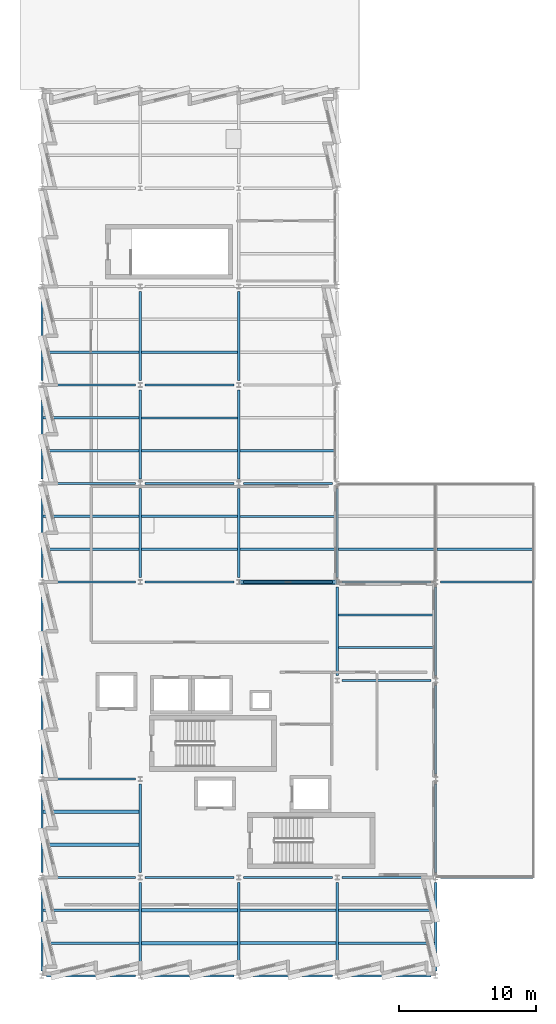
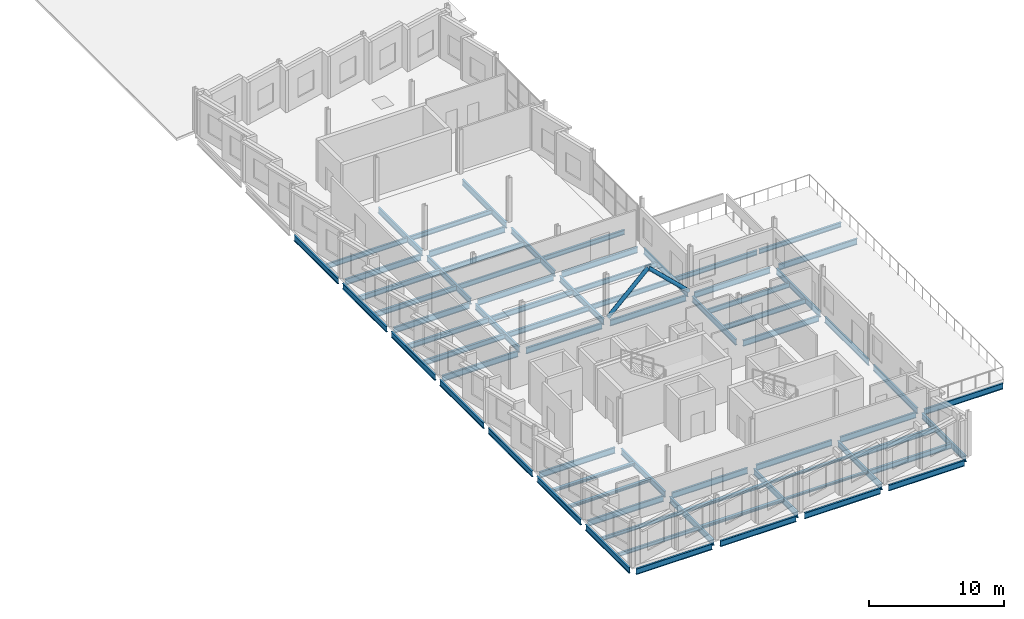
# One storey, part 5 of 18: 71 beams, 2 members.
"""IFC4 building model written with IfcOpenShell, lengths in metres."""

from ifc_helpers import new_model, si_unit, direction, frame, origin, origin_2d, place, context, subcontext, project, spatial, hollow_circle, i_section, extrude, material, material_profile, profile_set, type_object, element, save


model = new_model("IFC4")

# Units and contexts
model_context = context("Model", 3, precision=1e-05, world=origin(), true_north=direction((0.0, 1.0)))
body_context = subcontext(model_context, "Body", "Model", "MODEL_VIEW")
ifc_project = project(units=[si_unit("LENGTHUNIT", "METRE"), si_unit("AREAUNIT", "SQUARE_METRE"), si_unit("VOLUMEUNIT", "CUBIC_METRE"), si_unit("PLANEANGLEUNIT", "RADIAN"), si_unit("MASSUNIT", "GRAM", prefix="KILO")], contexts=[model_context])

# Site, building, storey
site_placement = place(None, origin())
site = spatial("IfcSite", under=ifc_project, at=site_placement, CompositionType="ELEMENT")
building_placement = place(site_placement, origin())
building = spatial("IfcBuilding", under=site, at=building_placement, Name="Kalmorath City Hall", CompositionType="ELEMENT")
storey_placement = place(building_placement, frame((0.0, 0.0, 27.0)))
storey = spatial("IfcBuildingStorey", under=building, at=storey_placement, Name="L06", CompositionType="ELEMENT", Elevation=27.0)

# Beams
ifc_material_1 = material(Name="Steel ASTM A992 Grade 50", Category="steel")
ifc_material_profile_1 = material_profile(ifc_material_1, i_section(OverallWidth=0.178955078125, OverallDepth=0.409912109375, WebThickness=0.0087890625, FlangeThickness=0.014404296875, FilletRadius=0.012939453125, at=origin_2d()), Name="W16X45")
ifc_profile_set_1 = profile_set([ifc_material_profile_1], Name="Steel ASTM A992 Grade 50")
beam_type_1 = type_object("IfcBeamType", Name="Steel composite joist W16X45", PredefinedType="JOIST", material=ifc_profile_set_1)
beam_1_placement = place(storey_placement, frame((28.883544921875, 31.199951171875, -0.4990234375), z_axis=(1.0, 0.0, 0.0), x_axis=(0.0, 1.0, 0.0)))
element("IfcBeam", 1, at=beam_1_placement, inside=storey, type_object=beam_type_1, Name="L06 joist SJ6 5.5.1", PredefinedType="JOIST", context=body_context, shape_type="SweptSolid", body=[
    extrude(i_section(OverallWidth=0.178955078125, OverallDepth=0.409912109375, WebThickness=0.0087890625, FlangeThickness=0.014404296875, FilletRadius=0.012939453125, at=origin_2d()), origin(), (0.0, 0.0, 1.0), 7.033935546875),
])
ifc_material_2 = material(Name="Steel ASTM A992 Grade 50", Category="steel")
ifc_material_profile_2 = material_profile(ifc_material_2, i_section(OverallWidth=0.180908203125, OverallDepth=0.4169921875, WebThickness=0.010986328125, FlangeThickness=0.018310546875, FilletRadius=0.012939453125, at=origin_2d()), Name="W16X57")
ifc_profile_set_2 = profile_set([ifc_material_profile_2], Name="Steel ASTM A992 Grade 50")
beam_type_2 = type_object("IfcBeamType", Name="Steel composite joist W16X57", PredefinedType="JOIST", material=ifc_profile_set_2)
beam_2_placement = place(storey_placement, frame((7.283447265625, 45.60009765625, -0.50244140625), z_axis=(1.0, 0.0, 0.0), x_axis=(0.0, 1.0, 0.0)))
element("IfcBeam", 2, at=beam_2_placement, inside=storey, type_object=beam_type_2, Name="L06 joist SJ5 2.7.1", PredefinedType="JOIST", context=body_context, shape_type="SweptSolid", body=[
    extrude(i_section(OverallWidth=0.180908203125, OverallDepth=0.4169921875, WebThickness=0.010986328125, FlangeThickness=0.018310546875, FilletRadius=0.012939453125, at=origin_2d()), origin(), (0.0, 0.0, 1.0), 7.032958984375),
])
beam_3_placement = place(storey_placement, frame((14.4833984375, 38.39990234375, -0.50244140625), z_axis=(1.0, 0.0, 0.0), x_axis=(0.0, 1.0, 0.0)))
element("IfcBeam", 3, at=beam_3_placement, inside=storey, type_object=beam_type_2, Name="L06 joist SJ5 3.6.1", PredefinedType="JOIST", context=body_context, shape_type="SweptSolid", body=[
    extrude(i_section(OverallWidth=0.180908203125, OverallDepth=0.4169921875, WebThickness=0.010986328125, FlangeThickness=0.018310546875, FilletRadius=0.012939453125, at=origin_2d()), origin(), (0.0, 0.0, 1.0), 7.0341796875),
])
beam_4_placement = place(storey_placement, frame((21.68359375, 31.199951171875, -0.50244140625), z_axis=(1.0, 0.0, 0.0), x_axis=(0.0, 1.0, 0.0)))
element("IfcBeam", 4, at=beam_4_placement, inside=storey, type_object=beam_type_2, Name="L06 joist SJ5 4.5.1", PredefinedType="JOIST", context=body_context, shape_type="SweptSolid", body=[
    extrude(i_section(OverallWidth=0.180908203125, OverallDepth=0.4169921875, WebThickness=0.010986328125, FlangeThickness=0.018310546875, FilletRadius=0.012939453125, at=origin_2d()), origin(), (0.0, 0.0, 1.0), 7.032958984375),
])
ifc_material_3 = material(Name="Steel ASTM A992 Grade 50", Category="steel")
ifc_material_profile_3 = material_profile(ifc_material_3, i_section(OverallWidth=0.153076171875, OverallDepth=0.455078125, WebThickness=0.008056640625, FlangeThickness=0.01318359375, FilletRadius=0.013916015625, at=origin_2d()), Name="W18X40")
ifc_profile_set_3 = profile_set([ifc_material_profile_3], Name="Steel ASTM A992 Grade 50")
beam_type_3 = type_object("IfcBeamType", Name="Steel composite joist W18X40", PredefinedType="JOIST", material=ifc_profile_set_3)
beam_5_placement = place(storey_placement, frame((0.08251953125, 45.60009765625, -0.521484375), z_axis=(1.0, 0.0, 0.0), x_axis=(0.0, 1.0, 0.0)))
element("IfcBeam", 5, at=beam_5_placement, inside=storey, type_object=beam_type_3, Name="L06 joist SJ4 1.7.1", PredefinedType="JOIST", context=body_context, shape_type="SweptSolid", body=[
    extrude(i_section(OverallWidth=0.153076171875, OverallDepth=0.455078125, WebThickness=0.008056640625, FlangeThickness=0.01318359375, FilletRadius=0.013916015625, at=origin_2d()), origin(), (0.0, 0.0, 1.0), 7.033935546875),
])
for number, where, z_axis, x_axis, name in (
    (6, (7.283447265625, 38.39990234375, -0.521484375), (1.0, 0.0, 0.0), (0.0, 1.0, 0.0), "L06 joist SJ4 2.6.1"),
    (7, (7.283447265625, 40.800048828125, -0.521484375), (1.0, 0.0, 0.0), (0.0, 1.0, 0.0), "L06 joist SJ4 2.6.2"),
):
    element("IfcBeam", number, at=place(storey_placement, frame(where, z_axis=z_axis, x_axis=x_axis)), inside=storey, type_object=beam_type_3, Name=name, PredefinedType="JOIST", context=body_context, shape_type="SweptSolid", body=[
        extrude(i_section(OverallWidth=0.153076171875, OverallDepth=0.455078125, WebThickness=0.008056640625, FlangeThickness=0.01318359375, FilletRadius=0.013916015625, at=origin_2d()), origin(), (0.0, 0.0, 1.0), 7.032958984375),
    ])
for number, where, z_axis, x_axis, name in (
    (8, (14.4833984375, 31.199951171875, -0.521484375), (1.0, 0.0, 0.0), (0.0, 1.0, 0.0), "L06 joist SJ4 3.5.1"),
    (9, (14.4833984375, 33.60009765625, -0.521484375), (1.0, 0.0, 0.0), (0.0, 1.0, 0.0), "L06 joist SJ4 3.5.2"),
):
    element("IfcBeam", number, at=place(storey_placement, frame(where, z_axis=z_axis, x_axis=x_axis)), inside=storey, type_object=beam_type_3, Name=name, PredefinedType="JOIST", context=body_context, shape_type="SweptSolid", body=[
        extrude(i_section(OverallWidth=0.153076171875, OverallDepth=0.455078125, WebThickness=0.008056640625, FlangeThickness=0.01318359375, FilletRadius=0.013916015625, at=origin_2d()), origin(), (0.0, 0.0, 1.0), 7.033203125),
    ])
for number, where, z_axis, x_axis, name in (
    (10, (21.68359375, 24.0, -0.521484375), (1.0, 0.0, 0.0), (0.0, 1.0, 0.0), "L06 joist SJ4 4.4.1"),
    (11, (21.68359375, 26.39990234375, -0.521484375), (1.0, 0.0, 0.0), (0.0, 1.0, 0.0), "L06 joist SJ4 4.4.2"),
):
    element("IfcBeam", number, at=place(storey_placement, frame(where, z_axis=z_axis, x_axis=x_axis)), inside=storey, type_object=beam_type_3, Name=name, PredefinedType="JOIST", context=body_context, shape_type="SweptSolid", body=[
        extrude(i_section(OverallWidth=0.153076171875, OverallDepth=0.455078125, WebThickness=0.008056640625, FlangeThickness=0.01318359375, FilletRadius=0.013916015625, at=origin_2d()), origin(), (0.0, 0.0, 1.0), 7.032958984375),
    ])
ifc_material_4 = material(Name="Steel ASTM A992 Grade 50", Category="steel")
ifc_material_profile_4 = material_profile(ifc_material_4, i_section(OverallWidth=0.19091796875, OverallDepth=0.45703125, WebThickness=0.009033203125, FlangeThickness=0.014404296875, FilletRadius=0.013916015625, at=origin_2d()), Name="W18X50")
ifc_profile_set_4 = profile_set([ifc_material_profile_4], Name="Steel ASTM A992 Grade 50")
beam_type_4 = type_object("IfcBeamType", Name="Steel composite joist W18X50", PredefinedType="JOIST", material=ifc_profile_set_4)
for number, where, z_axis, x_axis, name in (
    (12, (0.08251953125, 38.39990234375, -0.5224609375), (1.0, 0.0, 0.0), (0.0, 1.0, 0.0), "L06 joist SJ3 1.6.1"),
    (13, (0.08251953125, 40.800048828125, -0.5224609375), (1.0, 0.0, 0.0), (0.0, 1.0, 0.0), "L06 joist SJ3 1.6.2"),
):
    element("IfcBeam", number, at=place(storey_placement, frame(where, z_axis=z_axis, x_axis=x_axis)), inside=storey, type_object=beam_type_4, Name=name, PredefinedType="JOIST", context=body_context, shape_type="SweptSolid", body=[
        extrude(i_section(OverallWidth=0.19091796875, OverallDepth=0.45703125, WebThickness=0.009033203125, FlangeThickness=0.014404296875, FilletRadius=0.013916015625, at=origin_2d()), origin(), (0.0, 0.0, 1.0), 7.033935546875),
    ])
for number, where, z_axis, x_axis, name in (
    (14, (7.283447265625, 31.199951171875, -0.5224609375), (1.0, 0.0, 0.0), (0.0, 1.0, 0.0), "L06 joist SJ3 2.5.1"),
    (15, (7.283447265625, 33.60009765625, -0.5224609375), (1.0, 0.0, 0.0), (0.0, 1.0, 0.0), "L06 joist SJ3 2.5.2"),
):
    element("IfcBeam", number, at=place(storey_placement, frame(where, z_axis=z_axis, x_axis=x_axis)), inside=storey, type_object=beam_type_4, Name=name, PredefinedType="JOIST", context=body_context, shape_type="SweptSolid", body=[
        extrude(i_section(OverallWidth=0.19091796875, OverallDepth=0.45703125, WebThickness=0.009033203125, FlangeThickness=0.014404296875, FilletRadius=0.013916015625, at=origin_2d()), origin(), (0.0, 0.0, 1.0), 7.032958984375),
    ])
ifc_material_5 = material(Name="Steel ASTM A992 Grade 50", Category="steel")
ifc_material_profile_5 = material_profile(ifc_material_5, i_section(OverallWidth=0.19091796875, OverallDepth=0.4599609375, WebThickness=0.010009765625, FlangeThickness=0.01611328125, FilletRadius=0.013916015625, at=origin_2d()), Name="W18X55")
ifc_profile_set_5 = profile_set([ifc_material_profile_5], Name="Steel ASTM A992 Grade 50")
beam_type_5 = type_object("IfcBeamType", Name="Steel composite joist W18X55", PredefinedType="JOIST", material=ifc_profile_set_5)
for number, where, z_axis, x_axis, name in (
    (16, (0.08251953125, 31.199951171875, -0.52392578125), (1.0, 0.0, 0.0), (0.0, 1.0, 0.0), "L06 joist SJ2 1.5.1"),
    (17, (0.08251953125, 33.60009765625, -0.52392578125), (1.0, 0.0, 0.0), (0.0, 1.0, 0.0), "L06 joist SJ2 1.5.2"),
):
    element("IfcBeam", number, at=place(storey_placement, frame(where, z_axis=z_axis, x_axis=x_axis)), inside=storey, type_object=beam_type_5, Name=name, PredefinedType="JOIST", context=body_context, shape_type="SweptSolid", body=[
        extrude(i_section(OverallWidth=0.19091796875, OverallDepth=0.4599609375, WebThickness=0.010009765625, FlangeThickness=0.01611328125, FilletRadius=0.013916015625, at=origin_2d()), origin(), (0.0, 0.0, 1.0), 7.033935546875),
    ])
ifc_material_6 = material(Name="Steel ASTM A992 Grade 50", Category="steel")
ifc_material_profile_6 = material_profile(ifc_material_6, i_section(OverallWidth=0.193115234375, OverallDepth=0.466064453125, WebThickness=0.011474609375, FlangeThickness=0.01904296875, FilletRadius=0.013916015625, at=origin_2d()), Name="W18X65")
ifc_profile_set_6 = profile_set([ifc_material_profile_6], Name="Steel ASTM A992 Grade 50")
beam_type_6 = type_object("IfcBeamType", Name="Steel composite joist W18X65", PredefinedType="JOIST", material=ifc_profile_set_6)
for number, where, z_axis, x_axis, name in (
    (18, (21.68359375, 2.39990234375, -0.527099609375), (1.0, 0.0, 0.0), (0.0, 1.0, 0.0), "L06 joist SJ1 4.1.1"),
    (19, (21.68359375, 4.800048828125, -0.527099609375), (1.0, 0.0, 0.0), (0.0, 1.0, 0.0), "L06 joist SJ1 4.1.2"),
):
    element("IfcBeam", number, at=place(storey_placement, frame(where, z_axis=z_axis, x_axis=x_axis)), inside=storey, type_object=beam_type_6, Name=name, PredefinedType="JOIST", context=body_context, shape_type="SweptSolid", body=[
        extrude(i_section(OverallWidth=0.193115234375, OverallDepth=0.466064453125, WebThickness=0.011474609375, FlangeThickness=0.01904296875, FilletRadius=0.013916015625, at=origin_2d()), origin(), (0.0, 0.0, 1.0), 7.033935546875),
    ])
ifc_material_7 = material(Name="Steel ASTM A992 Grade 50", Category="steel")
ifc_material_profile_7 = material_profile(ifc_material_7, i_section(OverallWidth=0.202880859375, OverallDepth=0.202880859375, WebThickness=0.007080078125, FlangeThickness=0.010986328125, FilletRadius=0.010986328125, at=origin_2d()), Name="W8X31")
ifc_profile_set_7 = profile_set([ifc_material_profile_7], Name="Steel ASTM A992 Grade 50")
beam_type_7 = type_object("IfcBeamType", Name="Steel edge trimmer W8X31", PredefinedType="LINTEL", material=ifc_profile_set_7)
for number, where, z_axis, x_axis, name in (
    (20, (14.4833984375, 2.39990234375, -0.3955078125), (1.0, 0.0, 0.0), (0.0, 1.0, 0.0), "L06 joist SJ16 3.1.1"),
    (21, (14.4833984375, 4.800048828125, -0.3955078125), (1.0, 0.0, 0.0), (0.0, 1.0, 0.0), "L06 joist SJ16 3.1.2"),
):
    element("IfcBeam", number, at=place(storey_placement, frame(where, z_axis=z_axis, x_axis=x_axis)), inside=storey, type_object=beam_type_7, Name=name, PredefinedType="LINTEL", context=body_context, shape_type="SweptSolid", body=[
        extrude(i_section(OverallWidth=0.202880859375, OverallDepth=0.202880859375, WebThickness=0.007080078125, FlangeThickness=0.010986328125, FilletRadius=0.010986328125, at=origin_2d()), origin(), (0.0, 0.0, 1.0), 7.033203125),
    ])
ifc_material_8 = material(Name="Steel ASTM A992 Grade 50", Category="steel")
ifc_material_profile_8 = material_profile(ifc_material_8, i_section(OverallWidth=0.1669921875, OverallDepth=0.534912109375, WebThickness=0.01025390625, FlangeThickness=0.0166015625, FilletRadius=0.014892578125, at=origin_2d()), Name="W21X57")
ifc_profile_set_8 = profile_set([ifc_material_profile_8], Name="Steel ASTM A992 Grade 50")
beam_type_8 = type_object("IfcBeamType", Name="Steel floor beam W21X57", PredefinedType="BEAM", material=ifc_profile_set_8)
for number, where, z_axis, x_axis, name in (
    (22, (0.35009765625, 7.199951171875, -0.5615234375), (1.0, 0.0, 0.0), (0.0, 1.0, 0.0), "L06 girder SB3 X1-2/2"),
    (23, (7.550048828125, 7.199951171875, -0.5615234375), (1.0, 0.0, 0.0), (0.0, 1.0, 0.0), "L06 girder SB3 X2-3/2"),
    (24, (14.75, 7.199951171875, -0.5615234375), (1.0, 0.0, 0.0), (0.0, 1.0, 0.0), "L06 girder SB3 X3-4/2"),
    (25, (21.949951171875, 7.199951171875, -0.5615234375), (1.0, 0.0, 0.0), (0.0, 1.0, 0.0), "L06 girder SB3 X4-5/2"),
    (26, (0.35009765625, 14.39990234375, -0.5615234375), (1.0, 0.0, 0.0), (0.0, 1.0, 0.0), "L06 girder SB3 X1-2/3"),
    (27, (21.949951171875, 21.60009765625, -0.5615234375), (1.0, 0.0, 0.0), (0.0, 1.0, 0.0), "L06 girder SB3 X4-5/4"),
    (28, (0.35009765625, 28.800048828125, -0.5615234375), (1.0, 0.0, 0.0), (0.0, 1.0, 0.0), "L06 girder SB3 X1-2/5"),
    (29, (7.550048828125, 28.800048828125, -0.5615234375), (1.0, 0.0, 0.0), (0.0, 1.0, 0.0), "L06 girder SB3 X2-3/5"),
    (30, (14.75, 28.800048828125, -0.5615234375), (1.0, 0.0, 0.0), (0.0, 1.0, 0.0), "L06 girder SB3 X3-4/5"),
    (31, (21.949951171875, 28.800048828125, -0.5615234375), (1.0, 0.0, 0.0), (0.0, 1.0, 0.0), "L06 girder SB3 X4-5/5"),
):
    element("IfcBeam", number, at=place(storey_placement, frame(where, z_axis=z_axis, x_axis=x_axis)), inside=storey, type_object=beam_type_8, Name=name, PredefinedType="BEAM", context=body_context, shape_type="SweptSolid", body=[
        extrude(i_section(OverallWidth=0.1669921875, OverallDepth=0.534912109375, WebThickness=0.01025390625, FlangeThickness=0.0166015625, FilletRadius=0.014892578125, at=origin_2d()), origin(), (0.0, 0.0, 1.0), 6.5),
    ])
beam_6_placement = place(storey_placement, frame((29.14990234375, 28.800048828125, -0.5615234375), z_axis=(1.0, 0.0, 0.0), x_axis=(0.0, 1.0, 0.0)))
element("IfcBeam", 32, at=beam_6_placement, inside=storey, type_object=beam_type_8, Name="L06 girder SB3 X5-6/5", PredefinedType="BEAM", context=body_context, shape_type="SweptSolid", body=[
    extrude(i_section(OverallWidth=0.1669921875, OverallDepth=0.534912109375, WebThickness=0.01025390625, FlangeThickness=0.0166015625, FilletRadius=0.014892578125, at=origin_2d()), origin(), (0.0, 0.0, 1.0), 6.748046875),
])
for number, where, z_axis, x_axis, name in (
    (33, (0.35009765625, 36.0, -0.5615234375), (1.0, 0.0, 0.0), (0.0, 1.0, 0.0), "L06 girder SB3 X1-2/6"),
    (34, (7.550048828125, 36.0, -0.5615234375), (1.0, 0.0, 0.0), (0.0, 1.0, 0.0), "L06 girder SB3 X2-3/6"),
    (35, (14.75, 36.0, -0.5615234375), (1.0, 0.0, 0.0), (0.0, 1.0, 0.0), "L06 girder SB3 X3-4/6"),
    (36, (0.35009765625, 43.199951171875, -0.5615234375), (1.0, 0.0, 0.0), (0.0, 1.0, 0.0), "L06 girder SB3 X1-2/7"),
    (37, (7.550048828125, 43.199951171875, -0.5615234375), (1.0, 0.0, 0.0), (0.0, 1.0, 0.0), "L06 girder SB3 X2-3/7"),
    (38, (7.199951171875, 0.35009765625, -0.5615234375), (0.0, 1.0, 0.0), (-1.0, 0.0, 0.0), "L06 girder SB3 Y2/1-2"),
    (39, (7.199951171875, 7.550048828125, -0.5615234375), (0.0, 1.0, 0.0), (-1.0, 0.0, 0.0), "L06 girder SB3 Y2/2-3"),
    (40, (7.199951171875, 29.14990234375, -0.5615234375), (0.0, 1.0, 0.0), (-1.0, 0.0, 0.0), "L06 girder SB3 Y2/5-6"),
    (41, (7.199951171875, 36.35009765625, -0.5615234375), (0.0, 1.0, 0.0), (-1.0, 0.0, 0.0), "L06 girder SB3 Y2/6-7"),
    (42, (7.199951171875, 43.550048828125, -0.5615234375), (0.0, 1.0, 0.0), (-1.0, 0.0, 0.0), "L06 girder SB3 Y2/7-8"),
    (43, (14.39990234375, 0.35009765625, -0.5615234375), (0.0, 1.0, 0.0), (-1.0, 0.0, 0.0), "L06 girder SB3 Y3/1-2"),
    (44, (14.39990234375, 29.14990234375, -0.5615234375), (0.0, 1.0, 0.0), (-1.0, 0.0, 0.0), "L06 girder SB3 Y3/5-6"),
    (45, (14.39990234375, 36.35009765625, -0.5615234375), (0.0, 1.0, 0.0), (-1.0, 0.0, 0.0), "L06 girder SB3 Y3/6-7"),
    (46, (14.39990234375, 43.550048828125, -0.5615234375), (0.0, 1.0, 0.0), (-1.0, 0.0, 0.0), "L06 girder SB3 Y3/7-8"),
    (47, (21.60009765625, 0.35009765625, -0.5615234375), (0.0, 1.0, 0.0), (-1.0, 0.0, 0.0), "L06 girder SB3 Y4/1-2"),
    (48, (21.60009765625, 21.949951171875, -0.5615234375), (0.0, 1.0, 0.0), (-1.0, 0.0, 0.0), "L06 girder SB3 Y4/4-5"),
    (49, (21.60009765625, 29.14990234375, -0.5615234375), (0.0, 1.0, 0.0), (-1.0, 0.0, 0.0), "L06 girder SB3 Y4/5-6"),
    (50, (28.800048828125, 7.550048828125, -0.5615234375), (0.0, 1.0, 0.0), (-1.0, 0.0, 0.0), "L06 girder SB3 Y5/2-3"),
    (51, (28.800048828125, 14.75, -0.5615234375), (0.0, 1.0, 0.0), (-1.0, 0.0, 0.0), "L06 girder SB3 Y5/3-4"),
    (52, (28.800048828125, 21.949951171875, -0.5615234375), (0.0, 1.0, 0.0), (-1.0, 0.0, 0.0), "L06 girder SB3 Y5/4-5"),
):
    element("IfcBeam", number, at=place(storey_placement, frame(where, z_axis=z_axis, x_axis=x_axis)), inside=storey, type_object=beam_type_8, Name=name, PredefinedType="BEAM", context=body_context, shape_type="SweptSolid", body=[
        extrude(i_section(OverallWidth=0.1669921875, OverallDepth=0.534912109375, WebThickness=0.01025390625, FlangeThickness=0.0166015625, FilletRadius=0.014892578125, at=origin_2d()), origin(), (0.0, 0.0, 1.0), 6.5),
    ])
ifc_material_9 = material(Name="Steel ASTM A992 Grade 50", Category="steel")
ifc_material_profile_9 = material_profile(ifc_material_9, i_section(OverallWidth=0.1669921875, OverallDepth=0.318115234375, WebThickness=0.007568359375, FlangeThickness=0.01318359375, FilletRadius=0.012939453125, at=origin_2d()), Name="W12X35")
ifc_profile_set_9 = profile_set([ifc_material_profile_9], Name="Steel ASTM A992 Grade 50")
beam_type_9 = type_object("IfcBeamType", Name="Steel header lintel W12X35", PredefinedType="LINTEL", material=ifc_profile_set_9)
for number, where, z_axis, x_axis, name in (
    (53, (0.08251953125, 2.39990234375, -0.452880859375), (1.0, 0.0, 0.0), (0.0, 1.0, 0.0), "L06 joist SJ13 1.1.1"),
    (54, (0.08251953125, 4.800048828125, -0.452880859375), (1.0, 0.0, 0.0), (0.0, 1.0, 0.0), "L06 joist SJ13 1.1.2"),
):
    element("IfcBeam", number, at=place(storey_placement, frame(where, z_axis=z_axis, x_axis=x_axis)), inside=storey, type_object=beam_type_9, Name=name, PredefinedType="LINTEL", context=body_context, shape_type="SweptSolid", body=[
        extrude(i_section(OverallWidth=0.1669921875, OverallDepth=0.318115234375, WebThickness=0.007568359375, FlangeThickness=0.01318359375, FilletRadius=0.012939453125, at=origin_2d()), origin(), (0.0, 0.0, 1.0), 7.033935546875),
    ])
ifc_material_10 = material(Name="Steel ASTM A992 Grade 50", Category="steel")
ifc_material_profile_10 = material_profile(ifc_material_10, i_section(OverallWidth=0.1650390625, OverallDepth=0.52490234375, WebThickness=0.0087890625, FlangeThickness=0.011474609375, FilletRadius=0.014892578125, at=origin_2d()), Name="W21X44")
ifc_profile_set_10 = profile_set([ifc_material_profile_10], Name="Steel ASTM A992 Grade 50")
beam_type_10 = type_object("IfcBeamType", Name="Steel spandrel beam W21X44", PredefinedType="SPANDREL", material=ifc_profile_set_10)
for number, where, z_axis, x_axis, name in (
    (55, (0.35009765625, 0.0, -0.556396484375), (1.0, 0.0, 0.0), (0.0, 1.0, 0.0), "L06 girder SB4 X1-2/1"),
    (56, (7.550048828125, 0.0, -0.556396484375), (1.0, 0.0, 0.0), (0.0, 1.0, 0.0), "L06 girder SB4 X2-3/1"),
    (57, (14.75, 0.0, -0.556396484375), (1.0, 0.0, 0.0), (0.0, 1.0, 0.0), "L06 girder SB4 X3-4/1"),
    (58, (21.949951171875, 0.0, -0.556396484375), (1.0, 0.0, 0.0), (0.0, 1.0, 0.0), "L06 girder SB4 X4-5/1"),
):
    element("IfcBeam", number, at=place(storey_placement, frame(where, z_axis=z_axis, x_axis=x_axis)), inside=storey, type_object=beam_type_10, Name=name, PredefinedType="SPANDREL", context=body_context, shape_type="SweptSolid", body=[
        extrude(i_section(OverallWidth=0.1650390625, OverallDepth=0.52490234375, WebThickness=0.0087890625, FlangeThickness=0.011474609375, FilletRadius=0.014892578125, at=origin_2d()), origin(), (0.0, 0.0, 1.0), 6.5),
    ])
beam_7_placement = place(storey_placement, frame((29.14990234375, 7.199951171875, -0.556396484375), z_axis=(1.0, 0.0, 0.0), x_axis=(0.0, 1.0, 0.0)))
element("IfcBeam", 59, at=beam_7_placement, inside=storey, type_object=beam_type_10, Name="L06 girder SB4 X5-6/2", PredefinedType="SPANDREL", context=body_context, shape_type="SweptSolid", body=[
    extrude(i_section(OverallWidth=0.1650390625, OverallDepth=0.52490234375, WebThickness=0.0087890625, FlangeThickness=0.011474609375, FilletRadius=0.014892578125, at=origin_2d()), origin(), (0.0, 0.0, 1.0), 6.748046875),
])
for number, where, z_axis, x_axis, name in (
    (60, (0.0, 0.35009765625, -0.556396484375), (0.0, 1.0, 0.0), (-1.0, 0.0, 0.0), "L06 girder SB4 Y1/1-2"),
    (61, (0.0, 7.550048828125, -0.556396484375), (0.0, 1.0, 0.0), (-1.0, 0.0, 0.0), "L06 girder SB4 Y1/2-3"),
    (62, (0.0, 14.75, -0.556396484375), (0.0, 1.0, 0.0), (-1.0, 0.0, 0.0), "L06 girder SB4 Y1/3-4"),
    (63, (0.0, 21.949951171875, -0.556396484375), (0.0, 1.0, 0.0), (-1.0, 0.0, 0.0), "L06 girder SB4 Y1/4-5"),
    (64, (0.0, 29.14990234375, -0.556396484375), (0.0, 1.0, 0.0), (-1.0, 0.0, 0.0), "L06 girder SB4 Y1/5-6"),
    (65, (0.0, 36.35009765625, -0.556396484375), (0.0, 1.0, 0.0), (-1.0, 0.0, 0.0), "L06 girder SB4 Y1/6-7"),
    (66, (0.0, 43.550048828125, -0.556396484375), (0.0, 1.0, 0.0), (-1.0, 0.0, 0.0), "L06 girder SB4 Y1/7-8"),
    (67, (28.800048828125, 0.35009765625, -0.556396484375), (0.0, 1.0, 0.0), (-1.0, 0.0, 0.0), "L06 girder SB4 Y5/1-2"),
):
    element("IfcBeam", number, at=place(storey_placement, frame(where, z_axis=z_axis, x_axis=x_axis)), inside=storey, type_object=beam_type_10, Name=name, PredefinedType="SPANDREL", context=body_context, shape_type="SweptSolid", body=[
        extrude(i_section(OverallWidth=0.1650390625, OverallDepth=0.52490234375, WebThickness=0.0087890625, FlangeThickness=0.011474609375, FilletRadius=0.014892578125, at=origin_2d()), origin(), (0.0, 0.0, 1.0), 6.5),
    ])
ifc_material_11 = material(Name="Steel ASTM A992 Grade 50", Category="steel")
ifc_material_profile_11 = material_profile(ifc_material_11, i_section(OverallWidth=0.25390625, OverallDepth=0.2529296875, WebThickness=0.008544921875, FlangeThickness=0.01416015625, FilletRadius=0.011962890625, at=origin_2d()), Name="W10X49")
ifc_profile_set_11 = profile_set([ifc_material_profile_11], Name="Steel ASTM A992 Grade 50")
beam_type_11 = type_object("IfcBeamType", Name="Steel trimmer beam W10X49", PredefinedType="BEAM", material=ifc_profile_set_11)
for number, where, z_axis, x_axis, name in (
    (68, (0.08251953125, 9.60009765625, -0.42041015625), (1.0, 0.0, 0.0), (0.0, 1.0, 0.0), "L06 joist SJ14 1.2.1"),
    (69, (0.08251953125, 12.0, -0.42041015625), (1.0, 0.0, 0.0), (0.0, 1.0, 0.0), "L06 joist SJ14 1.2.2"),
):
    element("IfcBeam", number, at=place(storey_placement, frame(where, z_axis=z_axis, x_axis=x_axis)), inside=storey, type_object=beam_type_11, Name=name, PredefinedType="BEAM", context=body_context, shape_type="SweptSolid", body=[
        extrude(i_section(OverallWidth=0.25390625, OverallDepth=0.2529296875, WebThickness=0.008544921875, FlangeThickness=0.01416015625, FilletRadius=0.011962890625, at=origin_2d()), origin(), (0.0, 0.0, 1.0), 7.033935546875),
    ])
for number, where, z_axis, x_axis, name in (
    (70, (7.283447265625, 2.39990234375, -0.42041015625), (1.0, 0.0, 0.0), (0.0, 1.0, 0.0), "L06 joist SJ14 2.1.1"),
    (71, (7.283447265625, 4.800048828125, -0.42041015625), (1.0, 0.0, 0.0), (0.0, 1.0, 0.0), "L06 joist SJ14 2.1.2"),
):
    element("IfcBeam", number, at=place(storey_placement, frame(where, z_axis=z_axis, x_axis=x_axis)), inside=storey, type_object=beam_type_11, Name=name, PredefinedType="BEAM", context=body_context, shape_type="SweptSolid", body=[
        extrude(i_section(OverallWidth=0.25390625, OverallDepth=0.2529296875, WebThickness=0.008544921875, FlangeThickness=0.01416015625, FilletRadius=0.011962890625, at=origin_2d()), origin(), (0.0, 0.0, 1.0), 7.032958984375),
    ])

# Members
ifc_material_12 = material(Name="Steel ASTM A500 Grade C", Category="steel")
ifc_material_profile_12 = material_profile(ifc_material_12, hollow_circle(Radius=0.162109375, WallThickness=0.01171875, at=origin_2d()), Name="HSS324X12.7")
ifc_profile_set_12 = profile_set([ifc_material_profile_12], Name="Steel ASTM A500 Grade C")
member_type = type_object("IfcMemberType", Name="Steel tubular strut HSS324X12.7", PredefinedType="BRACE", material=ifc_profile_set_12)
for number, where, z_axis, x_axis, name in (
    (72, (14.552490234375, 28.800048828125, 0.0), (0.722387386925, 0.0, 0.691488585019), (0.0, 1.0, 0.0), "L06 chevron brace BR5 1A"),
    (73, (21.447509765625, 28.800048828125, 0.0), (-0.722387386925, 0.0, 0.691488585019), (0.0, -1.0, 0.0), "L06 chevron brace BR5 1B"),
):
    element("IfcMember", number, at=place(storey_placement, frame(where, z_axis=z_axis, x_axis=x_axis)), inside=storey, type_object=member_type, Name=name, PredefinedType="BRACE", context=body_context, shape_type="SweptSolid", body=[
        extrude(hollow_circle(Radius=0.162109375, WallThickness=0.01171875, at=origin_2d()), origin(), (0.0, 0.0, 1.0), 4.7724609375),
    ])

save(model, "model.ifc")
